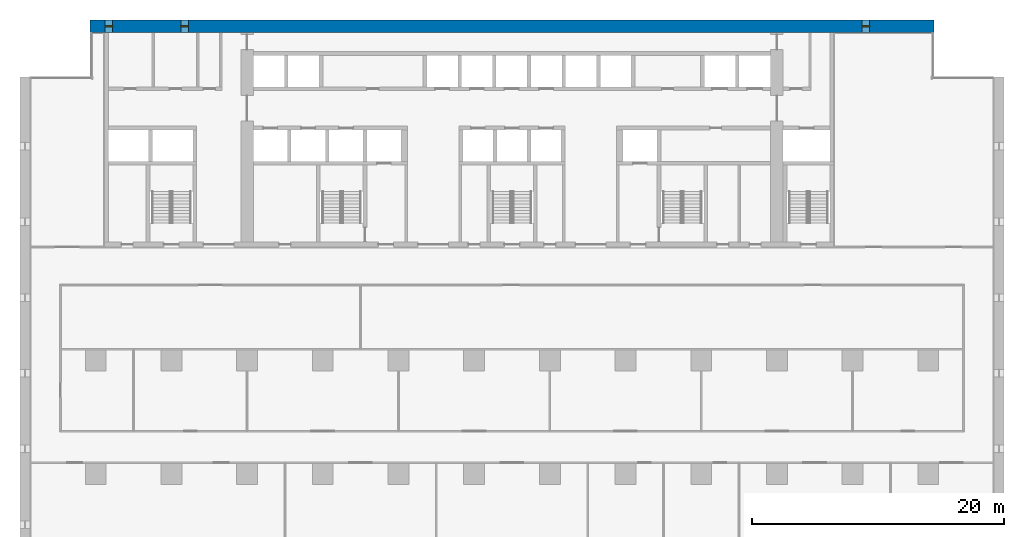
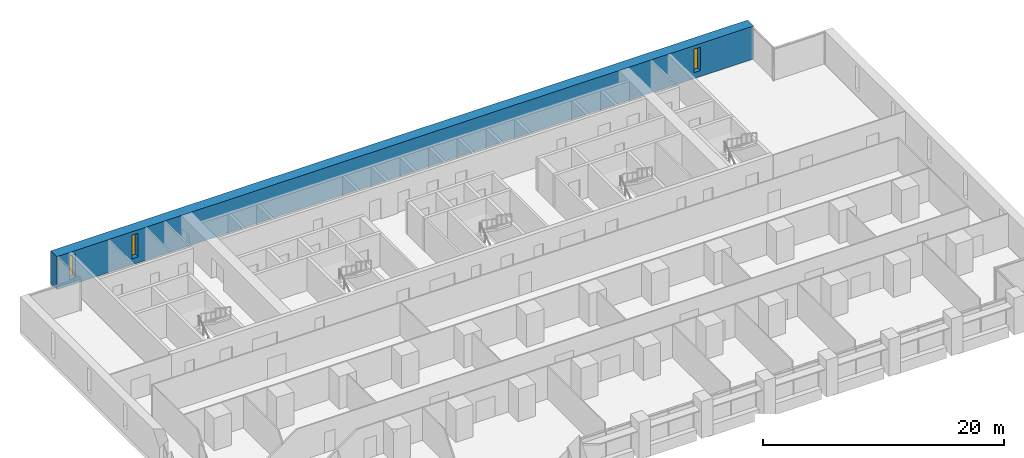
# One storey, part 12 of 18: 3 windows, 1 wall, 3 openings.
"""IFC4 building model written with IfcOpenShell, lengths in metres."""

from ifc_helpers import new_model, si_unit, direction, frame, frame_2d, origin, place, context, subcontext, project, spatial, rectangle, extrude, material, layer, layer_set, type_object, element, fill, save


model = new_model("IFC4")

# Units and contexts
model_context = context("Model", 3, precision=1e-05, world=origin(), true_north=direction((0.0, 1.0)))
body_context = subcontext(model_context, "Body", "Model", "MODEL_VIEW")
ifc_project = project(units=[si_unit("LENGTHUNIT", "METRE"), si_unit("AREAUNIT", "SQUARE_METRE"), si_unit("VOLUMEUNIT", "CUBIC_METRE"), si_unit("PLANEANGLEUNIT", "RADIAN"), si_unit("MASSUNIT", "GRAM", prefix="KILO")], contexts=[model_context])

# Site, building, storey
site_placement = place(None, origin())
site = spatial("IfcSite", under=ifc_project, at=site_placement, CompositionType="ELEMENT")
building_placement = place(site_placement, origin())
building = spatial("IfcBuilding", under=site, at=building_placement, Name="Calvaro Tower", CompositionType="ELEMENT")
storey_placement = place(building_placement, frame((0.0, 0.0, 60.0)))
storey = spatial("IfcBuildingStorey", under=building, at=storey_placement, Name="L14", CompositionType="ELEMENT", Elevation=60.0)

# Wall, openings, windows
ifc_material_1 = material(Name="Concrete C80/95", Category="concrete")
ifc_layer = layer(ifc_material_1, 1.0)
ifc_layer_set = layer_set([ifc_layer], Name="Concrete C80/95")
wall_type = type_object("IfcWallType", Name="Rear core wall 1000 C80/95", PredefinedType="SHEAR", material=ifc_layer_set)
wall_placement = place(storey_placement, frame((5.550048828125, 45.5, 0.0), z_axis=(0.0, 0.0, 1.0), x_axis=(1.0, 0.0, 0.0)))
wall = element("IfcWall", 1, at=wall_placement, inside=storey, type_object=wall_type, Name="North core wall", PredefinedType="SHEAR", context=body_context, shape_type="SweptSolid", body=[
    extrude(rectangle(XDim=66.89990234375, YDim=1.0, at=frame_2d((33.449951171875, 0.0))), origin(), (0.0, 0.0, 1.0), 3.35009765625),
])
opening_1_placement = place(wall_placement, frame((1.199951171875, 0.0, 0.60009765625)))
opening_1 = element("IfcOpeningElement", 2, at=opening_1_placement, cuts=wall, Name="Opening WN01", PredefinedType="OPENING", context=body_context, shape_type="SweptSolid", body=[
    extrude(rectangle(XDim=0.60009765625, YDim=2.39990234375, at=frame_2d((0.300048828125, 1.199951171875))), frame((0.0, 0.510009765625, 0.0), z_axis=(0.0, -1.0, 0.0), x_axis=(1.0, 0.0, 0.0)), (0.0, 0.0, 1.0), 1.02001953125),
])
opening_2_placement = place(wall_placement, frame((7.199951171875, 0.0, 0.60009765625)))
opening_2 = element("IfcOpeningElement", 3, at=opening_2_placement, cuts=wall, Name="Opening WN02", PredefinedType="OPENING", context=body_context, shape_type="SweptSolid", body=[
    extrude(rectangle(XDim=0.60009765625, YDim=2.39990234375, at=frame_2d((0.300048828125, 1.199951171875))), frame((0.0, 0.510009765625, 0.0), z_axis=(0.0, -1.0, 0.0), x_axis=(1.0, 0.0, 0.0)), (0.0, 0.0, 1.0), 1.02001953125),
])
opening_3_placement = place(wall_placement, frame((61.199951171875, 0.0, 0.60009765625)))
opening_3 = element("IfcOpeningElement", 4, at=opening_3_placement, cuts=wall, Name="Opening WN11", PredefinedType="OPENING", context=body_context, shape_type="SweptSolid", body=[
    extrude(rectangle(XDim=0.60009765625, YDim=2.39990234375, at=frame_2d((0.300048828125, 1.199951171875))), frame((0.0, 0.510009765625, 0.0), z_axis=(0.0, -1.0, 0.0), x_axis=(1.0, 0.0, 0.0)), (0.0, 0.0, 1.0), 1.02001953125),
])
ifc_material_2 = material(Name="Glass", Category="glass")
window_type = type_object("IfcWindowType", Name="Slit window 600 x 2400", PartitioningType="SINGLE_PANEL", PredefinedType="WINDOW", material=ifc_material_2)
window_1_placement = place(opening_1_placement, origin())
window_1 = element("IfcWindow", 5, at=window_1_placement, inside=storey, type_object=window_type, Name="Window WN01", OverallHeight=2.39990234375, OverallWidth=0.60009765625, PartitioningType="SINGLE_PANEL", PredefinedType="WINDOW", context=body_context, shape_type="SweptSolid", body=[
    extrude(rectangle(XDim=0.60009765625, YDim=2.39990234375, at=frame_2d((0.300048828125, 1.199951171875))), frame((0.0, 0.030029296875, 0.0), z_axis=(0.0, -1.0, 0.0), x_axis=(1.0, 0.0, 0.0)), (0.0, 0.0, 1.0), 0.06005859375),
])
fill(opening_1, window_1)
window_2_placement = place(opening_2_placement, origin())
window_2 = element("IfcWindow", 6, at=window_2_placement, inside=storey, type_object=window_type, Name="Window WN02", OverallHeight=2.39990234375, OverallWidth=0.60009765625, PartitioningType="SINGLE_PANEL", PredefinedType="WINDOW", context=body_context, shape_type="SweptSolid", body=[
    extrude(rectangle(XDim=0.60009765625, YDim=2.39990234375, at=frame_2d((0.300048828125, 1.199951171875))), frame((0.0, 0.030029296875, 0.0), z_axis=(0.0, -1.0, 0.0), x_axis=(1.0, 0.0, 0.0)), (0.0, 0.0, 1.0), 0.06005859375),
])
fill(opening_2, window_2)
window_3_placement = place(opening_3_placement, origin())
window_3 = element("IfcWindow", 7, at=window_3_placement, inside=storey, type_object=window_type, Name="Window WN11", OverallHeight=2.39990234375, OverallWidth=0.60009765625, PartitioningType="SINGLE_PANEL", PredefinedType="WINDOW", context=body_context, shape_type="SweptSolid", body=[
    extrude(rectangle(XDim=0.60009765625, YDim=2.39990234375, at=frame_2d((0.300048828125, 1.199951171875))), frame((0.0, 0.030029296875, 0.0), z_axis=(0.0, -1.0, 0.0), x_axis=(1.0, 0.0, 0.0)), (0.0, 0.0, 1.0), 0.06005859375),
])
fill(opening_3, window_3)

save(model, "model.ifc")
